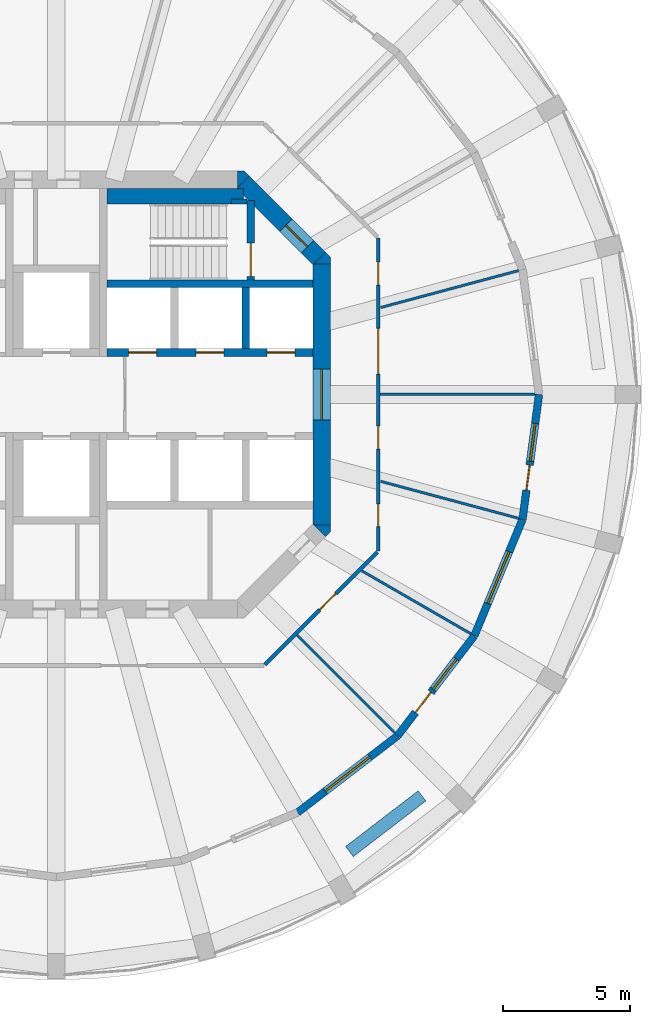
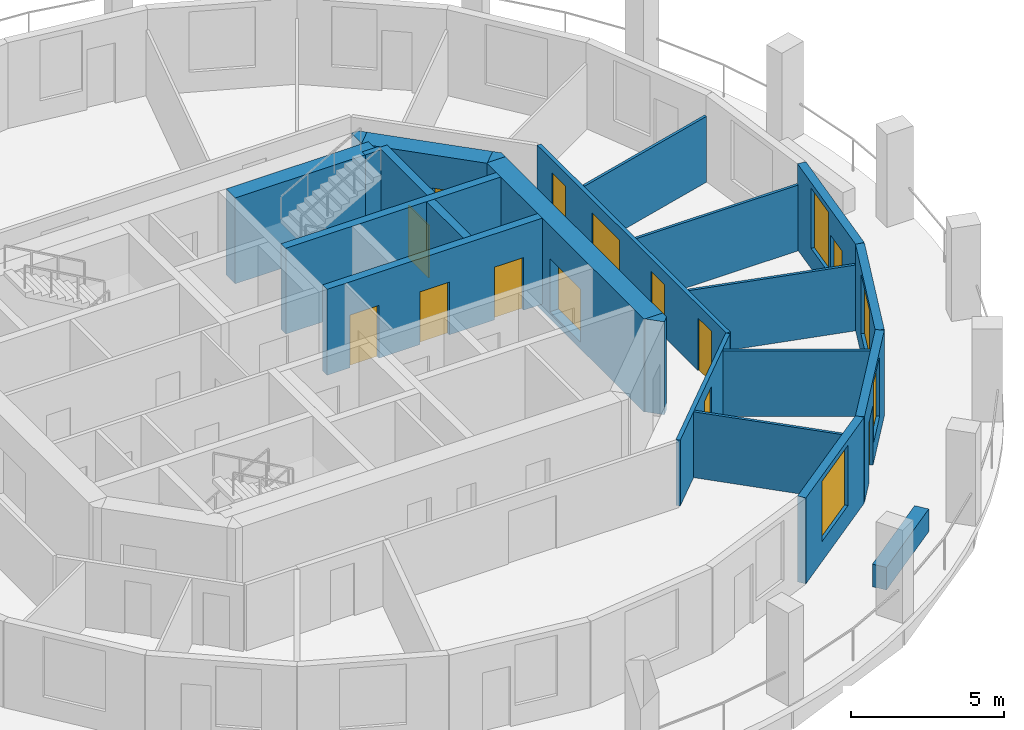
# One storey, part 5 of 9: 23 walls, 13 doors, 4 windows, 17 openings.
"""IFC4 building model written with IfcOpenShell, lengths in metres."""

from ifc_helpers import new_model, si_unit, direction, frame, frame_2d, origin, place, context, subcontext, project, spatial, polyline, rectangle, outline, extrude, material, layer, layer_set, type_object, element, fill, save


model = new_model("IFC4")

# Units and contexts
model_context = context("Model", 3, precision=1e-05, world=origin(), true_north=direction((0.0, 1.0)))
body_context = subcontext(model_context, "Body", "Model", "MODEL_VIEW")
ifc_project = project(units=[si_unit("LENGTHUNIT", "METRE"), si_unit("AREAUNIT", "SQUARE_METRE"), si_unit("VOLUMEUNIT", "CUBIC_METRE"), si_unit("PLANEANGLEUNIT", "RADIAN"), si_unit("MASSUNIT", "GRAM", prefix="KILO")], contexts=[model_context])

# Site, building, storey
site_placement = place(None, origin())
site = spatial("IfcSite", under=ifc_project, at=site_placement, CompositionType="ELEMENT")
building_placement = place(site_placement, origin())
building = spatial("IfcBuilding", under=site, at=building_placement, Name="Torre Triforio", CompositionType="ELEMENT")
storey_placement = place(building_placement, frame((0.0, 0.0, 161.60009765625)))
storey = spatial("IfcBuildingStorey", under=building, at=storey_placement, Name="L36", CompositionType="ELEMENT", Elevation=161.60009765625)

# Wall, opening, door
ifc_material_1 = material(Name="Concrete C50", Category="concrete")
ifc_layer_1 = layer(ifc_material_1, 0.699951171875)
ifc_layer_set_1 = layer_set([ifc_layer_1], Name="Concrete C50")
wall_type_1 = type_object("IfcWallType", Name="Core wall 700 mm C50 EI 120", PredefinedType="SHEAR", material=ifc_layer_set_1)
wall_1_placement = place(storey_placement, frame((10.449951171875, -5.1298828125, -0.280029296875), z_axis=(0.0, 0.0, 1.0), x_axis=(0.0, 1.0, 0.0)))
wall_1 = element("IfcWall", 1, at=wall_1_placement, inside=storey, type_object=wall_type_1, Name="Core wall", PredefinedType="SHEAR", context=body_context, shape_type="SweptSolid", body=[
    extrude(rectangle(XDim=10.259765625, YDim=0.699951171875, at=frame_2d((5.1298828125, 0.0))), origin(), (0.0, 0.0, 1.0), 3.699951171875),
])
opening_1_placement = place(wall_1_placement, frame((4.1298828125, 0.0, 0.280029296875)))
opening_1 = element("IfcOpeningElement", 2, at=opening_1_placement, cuts=wall_1, Name="Opening E-RING", PredefinedType="OPENING", context=body_context, shape_type="SweptSolid", body=[
    extrude(rectangle(XDim=2.0, YDim=2.10009765625, at=frame_2d((1.0, 1.050048828125))), frame((0.0, 0.35986328125, 0.0), z_axis=(0.0, -1.0, 0.0), x_axis=(1.0, 0.0, 0.0)), (0.0, 0.0, 1.0), 0.719970703125),
])
ifc_material_2 = material(Name="Hollow metal fire door leaf")
door_type_1 = type_object("IfcDoorType", Name="Lobby door 2000 x 2100 EI 60", OperationType="DOUBLE_DOOR_SINGLE_SWING", PredefinedType="DOOR", material=ifc_material_2)
door_1_placement = place(opening_1_placement, origin())
door_1 = element("IfcDoor", 3, at=door_1_placement, inside=storey, type_object=door_type_1, Name="Core door E-RING", OperationType="DOUBLE_DOOR_SINGLE_SWING", OverallHeight=2.10009765625, OverallWidth=2.0, PredefinedType="DOOR", context=body_context, shape_type="SweptSolid", body=[
    extrude(rectangle(XDim=2.0, YDim=2.10009765625, at=frame_2d((1.0, 1.050048828125))), frame((0.0, 0.02490234375, 0.0), z_axis=(0.0, -1.0, 0.0), x_axis=(1.0, 0.0, 0.0)), (0.0, 0.0, 1.0), 0.050048828125),
])
fill(opening_1, door_1)

wall_2_placement = place(storey_placement, frame((7.347412109375, 8.347412109375, -0.280029296875), z_axis=(0.0, 0.0, 1.0), x_axis=(0.707106781187, -0.707106781187, 0.0)))
wall_2 = element("IfcWall", 4, at=wall_2_placement, inside=storey, type_object=wall_type_1, Name="Core wall", PredefinedType="SHEAR", context=body_context, shape_type="SweptSolid", body=[
    extrude(rectangle(XDim=4.24267578125, YDim=0.699951171875, at=frame_2d((2.121337890625, 0.0))), origin(), (0.0, 0.0, 1.0), 3.699951171875),
])
opening_2_placement = place(wall_2_placement, frame((2.392578125, 0.0, 0.280029296875)))
opening_2 = element("IfcOpeningElement", 5, at=opening_2_placement, cuts=wall_2, Name="Opening ST2-EXIT", PredefinedType="OPENING", context=body_context, shape_type="SweptSolid", body=[
    extrude(rectangle(XDim=1.199951171875, YDim=2.10009765625, at=frame_2d((0.60009765625, 1.050048828125))), frame((0.0, 0.35986328125, 0.0), z_axis=(0.0, -1.0, 0.0), x_axis=(1.0, 0.0, 0.0)), (0.0, 0.0, 1.0), 0.719970703125),
])
door_type_2 = type_object("IfcDoorType", Name="Stair lobby door 1200 x 2100 EI 60", OperationType="NOTDEFINED", PredefinedType="DOOR", material=ifc_material_2)
door_2_placement = place(opening_2_placement, origin())
door_2 = element("IfcDoor", 6, at=door_2_placement, inside=storey, type_object=door_type_2, Name="Core door ST2-EXIT", OperationType="SINGLE_SWING_RIGHT", OverallHeight=2.10009765625, OverallWidth=1.199951171875, PredefinedType="DOOR", context=body_context, shape_type="SweptSolid", body=[
    extrude(rectangle(XDim=1.199951171875, YDim=2.10009765625, at=frame_2d((0.60009765625, 1.050048828125))), frame((0.0, 0.02490234375, 0.0), z_axis=(0.0, -1.0, 0.0), x_axis=(1.0, 0.0, 0.0)), (0.0, 0.0, 1.0), 0.050048828125),
])
fill(opening_2, door_2)

# Walls
wall_3_placement = place(storey_placement, frame((0.0, 0.0, -0.280029296875)))
element("IfcWall", 7, at=wall_3_placement, inside=storey, type_object=wall_type_1, Name="Core wall", PredefinedType="SHEAR", context=body_context, shape_type="SweptSolid", body=[
    extrude(outline(polyline([(10.800048828125, -5.389892578125), (10.594970703125, -5.594970703125), (10.594970703125, -5.594970703125), (10.594970703125, -5.594970703125), (10.1298828125, -5.1298828125), (10.800048828125, -5.1298828125), (10.800048828125, -5.1298828125), (10.800048828125, -5.389892578125)])), origin(), (0.0, 0.0, 1.0), 3.699951171875),
])
wall_4_placement = place(storey_placement, frame((0.0, 0.0, -0.280029296875)))
element("IfcWall", 8, at=wall_4_placement, inside=storey, type_object=wall_type_1, Name="Core wall", PredefinedType="SHEAR", context=body_context, shape_type="SweptSolid", body=[
    extrude(outline(polyline([(10.800048828125, 5.389892578125), (10.800048828125, 5.1298828125), (10.800048828125, 5.1298828125), (10.1298828125, 5.1298828125), (10.594970703125, 5.594970703125), (10.594970703125, 5.594970703125), (10.594970703125, 5.594970703125), (10.800048828125, 5.389892578125)])), origin(), (0.0, 0.0, 1.0), 3.699951171875),
])
wall_5_placement = place(storey_placement, frame((0.0, 0.0, -0.280029296875)))
element("IfcWall", 9, at=wall_5_placement, inside=storey, type_object=wall_type_1, Name="Core wall", PredefinedType="SHEAR", context=body_context, shape_type="SweptSolid", body=[
    extrude(outline(polyline([(7.389892578125, 8.800048828125), (7.594970703125, 8.594970703125), (7.594970703125, 8.594970703125), (7.594970703125, 8.594970703125), (7.1298828125, 8.1298828125), (7.1298828125, 8.800048828125), (7.1298828125, 8.800048828125), (7.389892578125, 8.800048828125)])), origin(), (0.0, 0.0, 1.0), 3.699951171875),
])

# Wall, opening, door
ifc_material_3 = material(Name="Plasterboard on metal studs")
ifc_layer_2 = layer(ifc_material_3, 0.14990234375)
ifc_layer_set_2 = layer_set([ifc_layer_2], Name="Plasterboard on metal studs")
wall_type_2 = type_object("IfcWallType", Name="Corridor and tenancy wall 150 mm EI 60", PredefinedType="PARTITIONING", material=ifc_layer_set_2)
wall_6_placement = place(storey_placement, frame((12.637939453125, -6.20361328125, 0.0), z_axis=(0.0, 0.0, 1.0), x_axis=(-0.707106781187, -0.707106781187, 0.0)))
wall_6 = element("IfcWall", 10, at=wall_6_placement, inside=storey, type_object=wall_type_2, Name="Partition 1", PredefinedType="PARTITIONING", context=body_context, shape_type="SweptSolid", body=[
    extrude(rectangle(XDim=6.27099609375, YDim=0.14990234375, at=frame_2d((3.135498046875, 0.0))), origin(), (0.0, 0.0, 1.0), 2.619873046875),
])
opening_3_placement = place(wall_6_placement, frame((2.313720703125, 0.0, 0.0)))
opening_3 = element("IfcOpeningElement", 11, at=opening_3_placement, cuts=wall_6, Name="Opening O1-14", PredefinedType="OPENING", context=body_context, shape_type="SweptSolid", body=[
    extrude(rectangle(XDim=0.89990234375, YDim=2.10009765625, at=frame_2d((0.449951171875, 1.050048828125))), frame((0.0, 0.0849609375, 0.0), z_axis=(0.0, -1.0, 0.0), x_axis=(1.0, 0.0, 0.0)), (0.0, 0.0, 1.0), 0.169921875),
])
ifc_material_4 = material(Name="Timber", Category="wood")
door_type_3 = type_object("IfcDoorType", Name="Door 900 x 2100 single leaf EI 30", OperationType="NOTDEFINED", PredefinedType="DOOR", material=ifc_material_4)
door_3_placement = place(opening_3_placement, origin())
door_3 = element("IfcDoor", 12, at=door_3_placement, inside=storey, type_object=door_type_3, Name="Door O1-14", OperationType="SINGLE_SWING_LEFT", OverallHeight=2.10009765625, OverallWidth=0.89990234375, PredefinedType="DOOR", context=body_context, shape_type="SweptSolid", body=[
    extrude(rectangle(XDim=0.89990234375, YDim=2.10009765625, at=frame_2d((0.449951171875, 1.050048828125))), frame((0.0, 0.02490234375, 0.0), z_axis=(0.0, -1.0, 0.0), x_axis=(1.0, 0.0, 0.0)), (0.0, 0.0, 1.0), 0.050048828125),
])
fill(opening_3, door_3)

# Wall, openings, doors
wall_7_placement = place(storey_placement, frame((12.675048828125, 6.16650390625, 0.0), z_axis=(0.0, 0.0, 1.0), x_axis=(0.0, -1.0, 0.0)))
wall_7 = element("IfcWall", 13, at=wall_7_placement, inside=storey, type_object=wall_type_2, Name="Partition 10", PredefinedType="PARTITIONING", context=body_context, shape_type="SweptSolid", body=[
    extrude(rectangle(XDim=12.3330078125, YDim=0.14990234375, at=frame_2d((6.16650390625, 0.0))), origin(), (0.0, 0.0, 1.0), 2.619873046875),
])
opening_4_placement = place(wall_7_placement, frame((3.567626953125, 0.0, 0.0)))
opening_4 = element("IfcOpeningElement", 14, at=opening_4_placement, cuts=wall_7, Name="Opening O1-01", PredefinedType="OPENING", context=body_context, shape_type="SweptSolid", body=[
    extrude(rectangle(XDim=1.800048828125, YDim=2.10009765625, at=frame_2d((0.89990234375, 1.050048828125))), frame((0.0, 0.0849609375, 0.0), z_axis=(0.0, -1.0, 0.0), x_axis=(1.0, 0.0, 0.0)), (0.0, 0.0, 1.0), 0.169921875),
])
opening_5_placement = place(wall_7_placement, frame((0.960205078125, 0.0, 0.0)))
opening_5 = element("IfcOpeningElement", 15, at=opening_5_placement, cuts=wall_7, Name="Opening O1-02", PredefinedType="OPENING", context=body_context, shape_type="SweptSolid", body=[
    extrude(rectangle(XDim=0.89990234375, YDim=2.10009765625, at=frame_2d((0.449951171875, 1.050048828125))), frame((0.0, 0.0849609375, 0.0), z_axis=(0.0, -1.0, 0.0), x_axis=(1.0, 0.0, 0.0)), (0.0, 0.0, 1.0), 0.169921875),
])
opening_6_placement = place(wall_7_placement, frame((10.47314453125, 0.0, 0.0)))
opening_6 = element("IfcOpeningElement", 16, at=opening_6_placement, cuts=wall_7, Name="Opening O1-15", PredefinedType="OPENING", context=body_context, shape_type="SweptSolid", body=[
    extrude(rectangle(XDim=0.89990234375, YDim=2.10009765625, at=frame_2d((0.449951171875, 1.050048828125))), frame((0.0, 0.0849609375, 0.0), z_axis=(0.0, -1.0, 0.0), x_axis=(1.0, 0.0, 0.0)), (0.0, 0.0, 1.0), 0.169921875),
])
opening_7_placement = place(wall_7_placement, frame((7.41552734375, 0.0, 0.0)))
opening_7 = element("IfcOpeningElement", 17, at=opening_7_placement, cuts=wall_7, Name="Opening O1-16", PredefinedType="OPENING", context=body_context, shape_type="SweptSolid", body=[
    extrude(rectangle(XDim=0.89990234375, YDim=2.10009765625, at=frame_2d((0.449951171875, 1.050048828125))), frame((0.0, 0.0849609375, 0.0), z_axis=(0.0, -1.0, 0.0), x_axis=(1.0, 0.0, 0.0)), (0.0, 0.0, 1.0), 0.169921875),
])
door_type_4 = type_object("IfcDoorType", Name="Door 1800 x 2100 double leaf EI 30", OperationType="DOUBLE_DOOR_SINGLE_SWING", PredefinedType="DOOR", material=ifc_material_4)
door_4_placement = place(opening_4_placement, origin())
door_4 = element("IfcDoor", 18, at=door_4_placement, inside=storey, type_object=door_type_4, Name="Door O1-01", OperationType="DOUBLE_DOOR_SINGLE_SWING", OverallHeight=2.10009765625, OverallWidth=1.800048828125, PredefinedType="DOOR", context=body_context, shape_type="SweptSolid", body=[
    extrude(rectangle(XDim=1.800048828125, YDim=2.10009765625, at=frame_2d((0.89990234375, 1.050048828125))), frame((0.0, 0.02490234375, 0.0), z_axis=(0.0, -1.0, 0.0), x_axis=(1.0, 0.0, 0.0)), (0.0, 0.0, 1.0), 0.050048828125),
])
fill(opening_4, door_4)
door_5_placement = place(opening_5_placement, origin())
door_5 = element("IfcDoor", 19, at=door_5_placement, inside=storey, type_object=door_type_3, Name="Door O1-02", OperationType="SINGLE_SWING_LEFT", OverallHeight=2.10009765625, OverallWidth=0.89990234375, PredefinedType="DOOR", context=body_context, shape_type="SweptSolid", body=[
    extrude(rectangle(XDim=0.89990234375, YDim=2.10009765625, at=frame_2d((0.449951171875, 1.050048828125))), frame((0.0, 0.02490234375, 0.0), z_axis=(0.0, -1.0, 0.0), x_axis=(1.0, 0.0, 0.0)), (0.0, 0.0, 1.0), 0.050048828125),
])
fill(opening_5, door_5)
door_6_placement = place(opening_6_placement, origin())
door_6 = element("IfcDoor", 20, at=door_6_placement, inside=storey, type_object=door_type_3, Name="Door O1-15", OperationType="SINGLE_SWING_LEFT", OverallHeight=2.10009765625, OverallWidth=0.89990234375, PredefinedType="DOOR", context=body_context, shape_type="SweptSolid", body=[
    extrude(rectangle(XDim=0.89990234375, YDim=2.10009765625, at=frame_2d((0.449951171875, 1.050048828125))), frame((0.0, 0.02490234375, 0.0), z_axis=(0.0, -1.0, 0.0), x_axis=(1.0, 0.0, 0.0)), (0.0, 0.0, 1.0), 0.050048828125),
])
fill(opening_6, door_6)
door_7_placement = place(opening_7_placement, origin())
door_7 = element("IfcDoor", 21, at=door_7_placement, inside=storey, type_object=door_type_3, Name="Door O1-16", OperationType="SINGLE_SWING_LEFT", OverallHeight=2.10009765625, OverallWidth=0.89990234375, PredefinedType="DOOR", context=body_context, shape_type="SweptSolid", body=[
    extrude(rectangle(XDim=0.89990234375, YDim=2.10009765625, at=frame_2d((0.449951171875, 1.050048828125))), frame((0.0, 0.02490234375, 0.0), z_axis=(0.0, -1.0, 0.0), x_axis=(1.0, 0.0, 0.0)), (0.0, 0.0, 1.0), 0.050048828125),
])
fill(opening_7, door_7)

# Walls
ifc_layer_3 = layer(ifc_material_3, 0.10009765625)
ifc_layer_set_3 = layer_set([ifc_layer_3], Name="Plasterboard on metal studs")
wall_type_3 = type_object("IfcWallType", Name="Partition 100 mm board on metal studs", PredefinedType="PARTITIONING", material=ifc_layer_set_3)
wall_8_placement = place(storey_placement, frame((12.75, 0.0, 0.0), z_axis=(0.0, 0.0, 1.0), x_axis=(1.0, 0.0, 0.0)))
element("IfcWall", 22, at=wall_8_placement, inside=storey, type_object=wall_type_3, Name="Partition 11", PredefinedType="PARTITIONING", context=body_context, shape_type="SweptSolid", body=[
    extrude(rectangle(XDim=6.086669921875, YDim=0.10009765625, at=frame_2d((3.04345703125, 0.0))), origin(), (0.0, 0.0, 1.0), 2.619873046875),
])
wall_9_placement = place(storey_placement, frame((12.764404296875, 3.420166015625, 0.0), z_axis=(0.0, 0.0, 1.0), x_axis=(0.965925759926, 0.258819292773, 0.0)))
element("IfcWall", 23, at=wall_9_placement, inside=storey, type_object=wall_type_3, Name="Partition 12", PredefinedType="PARTITIONING", context=body_context, shape_type="SweptSolid", body=[
    extrude(rectangle(XDim=5.6220703125, YDim=0.10009765625, at=frame_2d((2.81103515625, 0.0))), origin(), (0.0, 0.0, 1.0), 2.619873046875),
])
wall_10_placement = place(storey_placement, frame((9.473876953125, -9.473876953125, 0.0), z_axis=(0.0, 0.0, 1.0), x_axis=(0.707106781187, -0.707106781187, 0.0)))
element("IfcWall", 24, at=wall_10_placement, inside=storey, type_object=wall_type_3, Name="Partition 24", PredefinedType="PARTITIONING", context=body_context, shape_type="SweptSolid", body=[
    extrude(rectangle(XDim=5.438720703125, YDim=0.10009765625, at=frame_2d((2.71923828125, 0.0))), origin(), (0.0, 0.0, 1.0), 2.619873046875),
])
wall_11_placement = place(storey_placement, frame((12.025146484375, -6.94287109375, 0.0), z_axis=(0.0, 0.0, 1.0), x_axis=(0.866025463095, -0.499999897272, 0.0)))
element("IfcWall", 25, at=wall_11_placement, inside=storey, type_object=wall_type_3, Name="Partition 25", PredefinedType="PARTITIONING", context=body_context, shape_type="SweptSolid", body=[
    extrude(rectangle(XDim=4.951171875, YDim=0.10009765625, at=frame_2d((2.4755859375, 0.0))), origin(), (0.0, 0.0, 1.0), 2.619873046875),
])
wall_12_placement = place(storey_placement, frame((12.764404296875, -3.420166015625, 0.0), z_axis=(0.0, 0.0, 1.0), x_axis=(0.965925759926, -0.258819292773, 0.0)))
element("IfcWall", 26, at=wall_12_placement, inside=storey, type_object=wall_type_3, Name="Partition 26", PredefinedType="PARTITIONING", context=body_context, shape_type="SweptSolid", body=[
    extrude(rectangle(XDim=5.6220703125, YDim=0.10009765625, at=frame_2d((2.81103515625, 0.0))), origin(), (0.0, 0.0, 1.0), 2.619873046875),
])
ifc_material_5 = material(Name="Limestone cladding", Category="masonry")
ifc_layer_4 = layer(ifc_material_5, 0.10009765625)
ifc_material_6 = material(Name="Concrete C40", Category="concrete")
ifc_layer_5 = layer(ifc_material_6, 0.39990234375)
ifc_layer_set_4 = layer_set([ifc_layer_4, ifc_layer_5], Name="Limestone cladding / Concrete C40")
wall_type_4 = type_object("IfcWallType", Name="Planter wall 500", PredefinedType="PARAPET", material=ifc_layer_set_4)
wall_13_placement = place(storey_placement, frame((11.53857421875, -17.994140625, 0.0), z_axis=(0.0, 0.0, 1.0), x_axis=(0.793384730612, 0.608720518162, 0.0)))
element("IfcWall", 27, at=wall_13_placement, inside=storey, type_object=wall_type_4, Name="Planter L36 bay 21", PredefinedType="PARAPET", context=body_context, shape_type="SweptSolid", body=[
    extrude(rectangle(XDim=3.60009765625, YDim=0.5, at=frame_2d((1.800048828125, 0.0))), origin(), (0.0, 0.0, 1.0), 0.89990234375),
])
ifc_layer_6 = layer(ifc_material_1, 0.300048828125)
ifc_layer_set_5 = layer_set([ifc_layer_6], Name="Concrete C50")
wall_type_5 = type_object("IfcWallType", Name="Shaft wall 300 mm C50 EI 120", PredefinedType="SOLIDWALL", material=ifc_layer_set_5)
wall_14_placement = place(storey_placement, frame((2.0, 4.35009765625, 0.0), z_axis=(0.0, 0.0, 1.0), x_axis=(1.0, 0.0, 0.0)))
element("IfcWall", 28, at=wall_14_placement, inside=storey, type_object=wall_type_5, Name="Shaft wall", PredefinedType="SOLIDWALL", context=body_context, shape_type="SweptSolid", body=[
    extrude(rectangle(XDim=8.10009765625, YDim=0.300048828125, at=frame_2d((4.050048828125, 0.0))), origin(), (0.0, 0.0, 1.0), 3.419921875),
])

# Wall, openings, doors
wall_15_placement = place(storey_placement, frame((2.0, 1.64990234375, 0.0), z_axis=(0.0, 0.0, 1.0), x_axis=(1.0, 0.0, 0.0)))
wall_15 = element("IfcWall", 29, at=wall_15_placement, inside=storey, type_object=wall_type_5, Name="Shaft wall", PredefinedType="SOLIDWALL", context=body_context, shape_type="SweptSolid", body=[
    extrude(rectangle(XDim=8.10009765625, YDim=0.300048828125, at=frame_2d((4.050048828125, 0.0))), origin(), (0.0, 0.0, 1.0), 3.419921875),
])
opening_8_placement = place(wall_15_placement, frame((0.85009765625, 0.0, 0.0)))
opening_8 = element("IfcOpeningElement", 30, at=opening_8_placement, cuts=wall_15, Name="Opening LD", PredefinedType="OPENING", context=body_context, shape_type="SweptSolid", body=[
    extrude(rectangle(XDim=1.10009765625, YDim=2.10009765625, at=frame_2d((0.550048828125, 1.050048828125))), frame((0.0, 0.159912109375, 0.0), z_axis=(0.0, -1.0, 0.0), x_axis=(1.0, 0.0, 0.0)), (0.0, 0.0, 1.0), 0.320068359375),
])
opening_9_placement = place(wall_15_placement, frame((3.5, 0.0, 0.0)))
opening_9 = element("IfcOpeningElement", 31, at=opening_9_placement, cuts=wall_15, Name="Opening LD", PredefinedType="OPENING", context=body_context, shape_type="SweptSolid", body=[
    extrude(rectangle(XDim=1.10009765625, YDim=2.10009765625, at=frame_2d((0.550048828125, 1.050048828125))), frame((0.0, 0.159912109375, 0.0), z_axis=(0.0, -1.0, 0.0), x_axis=(1.0, 0.0, 0.0)), (0.0, 0.0, 1.0), 0.320068359375),
])
opening_10_placement = place(wall_15_placement, frame((6.300048828125, 0.0, 0.0)))
opening_10 = element("IfcOpeningElement", 32, at=opening_10_placement, cuts=wall_15, Name="Opening LD", PredefinedType="OPENING", context=body_context, shape_type="SweptSolid", body=[
    extrude(rectangle(XDim=1.10009765625, YDim=2.10009765625, at=frame_2d((0.550048828125, 1.050048828125))), frame((0.0, 0.159912109375, 0.0), z_axis=(0.0, -1.0, 0.0), x_axis=(1.0, 0.0, 0.0)), (0.0, 0.0, 1.0), 0.320068359375),
])
door_type_5 = type_object("IfcDoorType", Name="Landing door 1100 x 2100 EI 60", OperationType="DOUBLE_DOOR_SLIDING", PredefinedType="DOOR", material=ifc_material_2)
door_8_placement = place(opening_8_placement, origin())
door_8 = element("IfcDoor", 33, at=door_8_placement, inside=storey, type_object=door_type_5, Name="Landing door HR1", OperationType="DOUBLE_DOOR_SLIDING", OverallHeight=2.10009765625, OverallWidth=1.10009765625, PredefinedType="DOOR", context=body_context, shape_type="SweptSolid", body=[
    extrude(rectangle(XDim=1.10009765625, YDim=2.10009765625, at=frame_2d((0.550048828125, 1.050048828125))), frame((0.0, 0.02490234375, 0.0), z_axis=(0.0, -1.0, 0.0), x_axis=(1.0, 0.0, 0.0)), (0.0, 0.0, 1.0), 0.050048828125),
])
fill(opening_8, door_8)
door_9_placement = place(opening_9_placement, origin())
door_9 = element("IfcDoor", 34, at=door_9_placement, inside=storey, type_object=door_type_5, Name="Landing door HR2", OperationType="DOUBLE_DOOR_SLIDING", OverallHeight=2.10009765625, OverallWidth=1.10009765625, PredefinedType="DOOR", context=body_context, shape_type="SweptSolid", body=[
    extrude(rectangle(XDim=1.10009765625, YDim=2.10009765625, at=frame_2d((0.550048828125, 1.050048828125))), frame((0.0, 0.02490234375, 0.0), z_axis=(0.0, -1.0, 0.0), x_axis=(1.0, 0.0, 0.0)), (0.0, 0.0, 1.0), 0.050048828125),
])
fill(opening_9, door_9)
door_10_placement = place(opening_10_placement, origin())
door_10 = element("IfcDoor", 35, at=door_10_placement, inside=storey, type_object=door_type_5, Name="Landing door HR3", OperationType="DOUBLE_DOOR_SLIDING", OverallHeight=2.10009765625, OverallWidth=1.10009765625, PredefinedType="DOOR", context=body_context, shape_type="SweptSolid", body=[
    extrude(rectangle(XDim=1.10009765625, YDim=2.10009765625, at=frame_2d((0.550048828125, 1.050048828125))), frame((0.0, 0.02490234375, 0.0), z_axis=(0.0, -1.0, 0.0), x_axis=(1.0, 0.0, 0.0)), (0.0, 0.0, 1.0), 0.050048828125),
])
fill(opening_10, door_10)

# Walls
wall_16_placement = place(storey_placement, frame((7.449951171875, 1.800048828125, 0.0), z_axis=(0.0, 0.0, 1.0), x_axis=(0.0, 1.0, 0.0)))
element("IfcWall", 36, at=wall_16_placement, inside=storey, type_object=wall_type_5, Name="Shaft wall", PredefinedType="SOLIDWALL", context=body_context, shape_type="SweptSolid", body=[
    extrude(rectangle(XDim=2.39990234375, YDim=0.300048828125, at=frame_2d((1.199951171875, 0.0))), origin(), (0.0, 0.0, 1.0), 3.419921875),
])
ifc_layer_7 = layer(ifc_material_1, 0.199951171875)
ifc_layer_set_6 = layer_set([ifc_layer_7], Name="Concrete C50")
wall_type_6 = type_object("IfcWallType", Name="Stair wall 200 mm C50 EI 120", PredefinedType="SHEAR", material=ifc_layer_set_6)
wall_17_placement = place(storey_placement, frame((6.89990234375, 7.60009765625, 0.0), z_axis=(0.0, 0.0, 1.0), x_axis=(1.0, 0.0, 0.0)))
element("IfcWall", 37, at=wall_17_placement, inside=storey, type_object=wall_type_6, Name="Stair wall", PredefinedType="SHEAR", context=body_context, shape_type="SweptSolid", body=[
    extrude(rectangle(XDim=0.60009765625, YDim=0.199951171875, at=frame_2d((0.300048828125, 0.0))), origin(), (0.0, 0.0, 1.0), 3.419921875),
])

# Wall, opening, door
ifc_layer_8 = layer(ifc_material_1, 0.300048828125)
ifc_layer_set_7 = layer_set([ifc_layer_8], Name="Concrete C50")
wall_type_7 = type_object("IfcWallType", Name="Stair wall 300 mm C50 EI 120", PredefinedType="SHEAR", material=ifc_layer_set_7)
wall_18_placement = place(storey_placement, frame((7.64990234375, 4.5, 0.0), z_axis=(0.0, 0.0, 1.0), x_axis=(0.0, 1.0, 0.0)))
wall_18 = element("IfcWall", 38, at=wall_18_placement, inside=storey, type_object=wall_type_7, Name="Stair wall", PredefinedType="SHEAR", context=body_context, shape_type="SweptSolid", body=[
    extrude(rectangle(XDim=3.139892578125, YDim=0.300048828125, at=frame_2d((1.56982421875, 0.0))), origin(), (0.0, 0.0, 1.0), 3.419921875),
])
opening_11_placement = place(wall_18_placement, frame((0.139892578125, 0.0, 0.0)))
opening_11 = element("IfcOpeningElement", 39, at=opening_11_placement, cuts=wall_18, Name="Opening ST2-STA", PredefinedType="OPENING", context=body_context, shape_type="SweptSolid", body=[
    extrude(rectangle(XDim=1.320068359375, YDim=2.10009765625, at=frame_2d((0.66015625, 1.050048828125))), frame((0.0, 0.159912109375, 0.0), z_axis=(0.0, -1.0, 0.0), x_axis=(1.0, 0.0, 0.0)), (0.0, 0.0, 1.0), 0.320068359375),
])
door_type_6 = type_object("IfcDoorType", Name="Stair door 1320 x 2100 EI 90", OperationType="DOUBLE_DOOR_SINGLE_SWING", PredefinedType="DOOR", material=ifc_material_2)
door_11_placement = place(opening_11_placement, origin())
door_11 = element("IfcDoor", 40, at=door_11_placement, inside=storey, type_object=door_type_6, Name="Core door ST2-ST", OperationType="DOUBLE_DOOR_SINGLE_SWING", OverallHeight=2.10009765625, OverallWidth=1.320068359375, PredefinedType="DOOR", context=body_context, shape_type="SweptSolid", body=[
    extrude(rectangle(XDim=1.320068359375, YDim=2.10009765625, at=frame_2d((0.66015625, 1.050048828125))), frame((0.0, 0.02490234375, 0.0), z_axis=(0.0, -1.0, 0.0), x_axis=(1.0, 0.0, 0.0)), (0.0, 0.0, 1.0), 0.050048828125),
])
fill(opening_11, door_11)

# Wall
ifc_layer_9 = layer(ifc_material_1, 0.60009765625)
ifc_layer_set_8 = layer_set([ifc_layer_9], Name="Concrete C50")
wall_type_8 = type_object("IfcWallType", Name="Stair wall 600 mm C50 EI 120", PredefinedType="SHEAR", material=ifc_layer_set_8)
wall_19_placement = place(storey_placement, frame((2.0, 7.800048828125, 0.0), z_axis=(0.0, 0.0, 1.0), x_axis=(1.0, 0.0, 0.0)))
element("IfcWall", 41, at=wall_19_placement, inside=storey, type_object=wall_type_8, Name="Stair wall", PredefinedType="SHEAR", context=body_context, shape_type="SweptSolid", body=[
    extrude(rectangle(XDim=5.3701171875, YDim=0.60009765625, at=frame_2d((2.68505859375, 0.0))), origin(), (0.0, 0.0, 1.0), 3.419921875),
])

# Wall, opening, window
ifc_layer_10 = layer(ifc_material_5, 0.10009765625)
ifc_layer_11 = layer(ifc_material_6, 0.199951171875)
ifc_layer_set_9 = layer_set([ifc_layer_10, ifc_layer_11], Name="Limestone cladding / Concrete C40")
wall_type_9 = type_object("IfcWallType", Name="Stone-faced composite wall 300", PredefinedType="STANDARD", material=ifc_layer_set_9)
wall_20_placement = place(storey_placement, frame((9.5, -16.45458984375, 0.0), z_axis=(0.0, 0.0, 1.0), x_axis=(0.793348024649, 0.608768356425, 0.0)))
wall_20 = element("IfcWall", 42, at=wall_20_placement, inside=storey, type_object=wall_type_9, Name="External wall L36 bay 21", PredefinedType="STANDARD", context=body_context, shape_type="SweptSolid", body=[
    extrude(rectangle(XDim=4.9599609375, YDim=0.300048828125, at=frame_2d((2.47998046875, 0.0))), origin(), (0.0, 0.0, 1.0), 3.419921875),
])
opening_12_placement = place(wall_20_placement, frame((1.3798828125, 0.0, 0.800048828125)))
opening_12 = element("IfcOpeningElement", 43, at=opening_12_placement, cuts=wall_20, Name="Opening O1-W21", PredefinedType="OPENING", context=body_context, shape_type="SweptSolid", body=[
    extrude(rectangle(XDim=2.199951171875, YDim=2.39990234375, at=frame_2d((1.10009765625, 1.199951171875))), frame((0.0, 0.159912109375, 0.0), z_axis=(0.0, -1.0, 0.0), x_axis=(1.0, 0.0, 0.0)), (0.0, 0.0, 1.0), 0.320068359375),
])
ifc_material_7 = material(Name="Aluminium frame with clear double glazing", Category="aluminium")
window_type_1 = type_object("IfcWindowType", Name="Punched window 2200 x 2400", PartitioningType="DOUBLE_PANEL_VERTICAL", PredefinedType="WINDOW", material=ifc_material_7)
window_1_placement = place(opening_12_placement, origin())
window_1 = element("IfcWindow", 44, at=window_1_placement, inside=storey, type_object=window_type_1, Name="Window EWN5 L36 bay 21", OverallHeight=2.39990234375, OverallWidth=2.199951171875, PartitioningType="SINGLE_PANEL", PredefinedType="WINDOW", context=body_context, shape_type="SweptSolid", body=[
    extrude(rectangle(XDim=2.199951171875, YDim=2.39990234375, at=frame_2d((1.10009765625, 1.199951171875))), frame((0.0, 0.030029296875, 0.0), z_axis=(0.0, -1.0, 0.0), x_axis=(1.0, 0.0, 0.0)), (0.0, 0.0, 1.0), 0.06005859375),
])
fill(opening_12, window_1)

# Wall, openings, door, window
wall_21_placement = place(storey_placement, frame((13.43505859375, -13.43505859375, 0.0), z_axis=(0.0, 0.0, 1.0), x_axis=(0.608768356425, 0.793348024649, 0.0)))
wall_21 = element("IfcWall", 45, at=wall_21_placement, inside=storey, type_object=wall_type_9, Name="External wall L36 bay 22", PredefinedType="STANDARD", context=body_context, shape_type="SweptSolid", body=[
    extrude(rectangle(XDim=4.9599609375, YDim=0.300048828125, at=frame_2d((2.47998046875, 0.0))), origin(), (0.0, 0.0, 1.0), 3.419921875),
])
opening_13_placement = place(wall_21_placement, frame((1.155029296875, 0.0, 0.0)))
opening_13 = element("IfcOpeningElement", 46, at=opening_13_placement, cuts=wall_21, Name="Opening O1-D22", PredefinedType="OPENING", context=body_context, shape_type="SweptSolid", body=[
    extrude(rectangle(XDim=1.0, YDim=2.39990234375, at=frame_2d((0.5, 1.199951171875))), frame((0.0, 0.159912109375, 0.0), z_axis=(0.0, -1.0, 0.0), x_axis=(1.0, 0.0, 0.0)), (0.0, 0.0, 1.0), 0.320068359375),
])
opening_14_placement = place(wall_21_placement, frame((2.304931640625, 0.0, 0.800048828125)))
opening_14 = element("IfcOpeningElement", 47, at=opening_14_placement, cuts=wall_21, Name="Opening O1-W22A", PredefinedType="OPENING", context=body_context, shape_type="SweptSolid", body=[
    extrude(rectangle(XDim=1.5, YDim=2.39990234375, at=frame_2d((0.75, 1.199951171875))), frame((0.0, 0.159912109375, 0.0), z_axis=(0.0, -1.0, 0.0), x_axis=(1.0, 0.0, 0.0)), (0.0, 0.0, 1.0), 0.320068359375),
])
door_type_7 = type_object("IfcDoorType", Name="Loggia door 1000 x 2400", OperationType="NOTDEFINED", PredefinedType="DOOR", material=ifc_material_7)
door_12_placement = place(opening_13_placement, origin())
door_12 = element("IfcDoor", 48, at=door_12_placement, inside=storey, type_object=door_type_7, Name="Loggia door L36 bay 22", OperationType="SINGLE_SWING_LEFT", OverallHeight=2.39990234375, OverallWidth=1.0, PredefinedType="DOOR", context=body_context, shape_type="SweptSolid", body=[
    extrude(rectangle(XDim=1.0, YDim=2.39990234375, at=frame_2d((0.5, 1.199951171875))), frame((0.0, 0.02490234375, 0.0), z_axis=(0.0, -1.0, 0.0), x_axis=(1.0, 0.0, 0.0)), (0.0, 0.0, 1.0), 0.050048828125),
])
fill(opening_13, door_12)
window_type_2 = type_object("IfcWindowType", Name="Side window 1500 x 2400", PartitioningType="SINGLE_PANEL", PredefinedType="WINDOW", material=ifc_material_7)
window_2_placement = place(opening_14_placement, origin())
window_2 = element("IfcWindow", 49, at=window_2_placement, inside=storey, type_object=window_type_2, Name="Side window EWN14 L36 bay 22", OverallHeight=2.39990234375, OverallWidth=1.5, PartitioningType="SINGLE_PANEL", PredefinedType="WINDOW", context=body_context, shape_type="SweptSolid", body=[
    extrude(rectangle(XDim=1.5, YDim=2.39990234375, at=frame_2d((0.75, 1.199951171875))), frame((0.0, 0.030029296875, 0.0), z_axis=(0.0, -1.0, 0.0), x_axis=(1.0, 0.0, 0.0)), (0.0, 0.0, 1.0), 0.06005859375),
])
fill(opening_14, window_2)

# Wall, opening, window
wall_22_placement = place(storey_placement, frame((16.45458984375, -9.5, 0.0), z_axis=(0.0, 0.0, 1.0), x_axis=(0.382650301762, 0.923893254961, 0.0)))
wall_22 = element("IfcWall", 50, at=wall_22_placement, inside=storey, type_object=wall_type_9, Name="External wall L36 bay 23", PredefinedType="STANDARD", context=body_context, shape_type="SweptSolid", body=[
    extrude(rectangle(XDim=4.9599609375, YDim=0.300048828125, at=frame_2d((2.47998046875, 0.0))), origin(), (0.0, 0.0, 1.0), 3.419921875),
])
opening_15_placement = place(wall_22_placement, frame((1.3798828125, 0.0, 0.800048828125)))
opening_15 = element("IfcOpeningElement", 51, at=opening_15_placement, cuts=wall_22, Name="Opening O1-W23", PredefinedType="OPENING", context=body_context, shape_type="SweptSolid", body=[
    extrude(rectangle(XDim=2.199951171875, YDim=2.39990234375, at=frame_2d((1.10009765625, 1.199951171875))), frame((0.0, 0.159912109375, 0.0), z_axis=(0.0, -1.0, 0.0), x_axis=(1.0, 0.0, 0.0)), (0.0, 0.0, 1.0), 0.320068359375),
])
window_3_placement = place(opening_15_placement, origin())
window_3 = element("IfcWindow", 52, at=window_3_placement, inside=storey, type_object=window_type_1, Name="Window EWN5 L36 bay 23", OverallHeight=2.39990234375, OverallWidth=2.199951171875, PartitioningType="SINGLE_PANEL", PredefinedType="WINDOW", context=body_context, shape_type="SweptSolid", body=[
    extrude(rectangle(XDim=2.199951171875, YDim=2.39990234375, at=frame_2d((1.10009765625, 1.199951171875))), frame((0.0, 0.030029296875, 0.0), z_axis=(0.0, -1.0, 0.0), x_axis=(1.0, 0.0, 0.0)), (0.0, 0.0, 1.0), 0.06005859375),
])
fill(opening_15, window_3)

# Wall, openings, door, window
wall_23_placement = place(storey_placement, frame((18.3525390625, -4.91748046875, 0.0), z_axis=(0.0, 0.0, 1.0), x_axis=(0.130538549191, 0.991443234469, 0.0)))
wall_23 = element("IfcWall", 53, at=wall_23_placement, inside=storey, type_object=wall_type_9, Name="External wall L36 bay 24", PredefinedType="STANDARD", context=body_context, shape_type="SweptSolid", body=[
    extrude(rectangle(XDim=4.9599609375, YDim=0.300048828125, at=frame_2d((2.47998046875, 0.0))), origin(), (0.0, 0.0, 1.0), 3.419921875),
])
opening_16_placement = place(wall_23_placement, frame((1.155029296875, 0.0, 0.0)))
opening_16 = element("IfcOpeningElement", 54, at=opening_16_placement, cuts=wall_23, Name="Opening O1-D24", PredefinedType="OPENING", context=body_context, shape_type="SweptSolid", body=[
    extrude(rectangle(XDim=1.0, YDim=2.39990234375, at=frame_2d((0.5, 1.199951171875))), frame((0.0, 0.159912109375, 0.0), z_axis=(0.0, -1.0, 0.0), x_axis=(1.0, 0.0, 0.0)), (0.0, 0.0, 1.0), 0.320068359375),
])
opening_17_placement = place(wall_23_placement, frame((2.304931640625, 0.0, 0.800048828125)))
opening_17 = element("IfcOpeningElement", 55, at=opening_17_placement, cuts=wall_23, Name="Opening O1-W24A", PredefinedType="OPENING", context=body_context, shape_type="SweptSolid", body=[
    extrude(rectangle(XDim=1.5, YDim=2.39990234375, at=frame_2d((0.75, 1.199951171875))), frame((0.0, 0.159912109375, 0.0), z_axis=(0.0, -1.0, 0.0), x_axis=(1.0, 0.0, 0.0)), (0.0, 0.0, 1.0), 0.320068359375),
])
door_13_placement = place(opening_16_placement, origin())
door_13 = element("IfcDoor", 56, at=door_13_placement, inside=storey, type_object=door_type_7, Name="Loggia door L36 bay 24", OperationType="SINGLE_SWING_LEFT", OverallHeight=2.39990234375, OverallWidth=1.0, PredefinedType="DOOR", context=body_context, shape_type="SweptSolid", body=[
    extrude(rectangle(XDim=1.0, YDim=2.39990234375, at=frame_2d((0.5, 1.199951171875))), frame((0.0, 0.02490234375, 0.0), z_axis=(0.0, -1.0, 0.0), x_axis=(1.0, 0.0, 0.0)), (0.0, 0.0, 1.0), 0.050048828125),
])
fill(opening_16, door_13)
window_4_placement = place(opening_17_placement, origin())
window_4 = element("IfcWindow", 57, at=window_4_placement, inside=storey, type_object=window_type_2, Name="Side window EWN14 L36 bay 24", OverallHeight=2.39990234375, OverallWidth=1.5, PartitioningType="SINGLE_PANEL", PredefinedType="WINDOW", context=body_context, shape_type="SweptSolid", body=[
    extrude(rectangle(XDim=1.5, YDim=2.39990234375, at=frame_2d((0.75, 1.199951171875))), frame((0.0, 0.030029296875, 0.0), z_axis=(0.0, -1.0, 0.0), x_axis=(1.0, 0.0, 0.0)), (0.0, 0.0, 1.0), 0.06005859375),
])
fill(opening_17, window_4)

save(model, "model.ifc")
